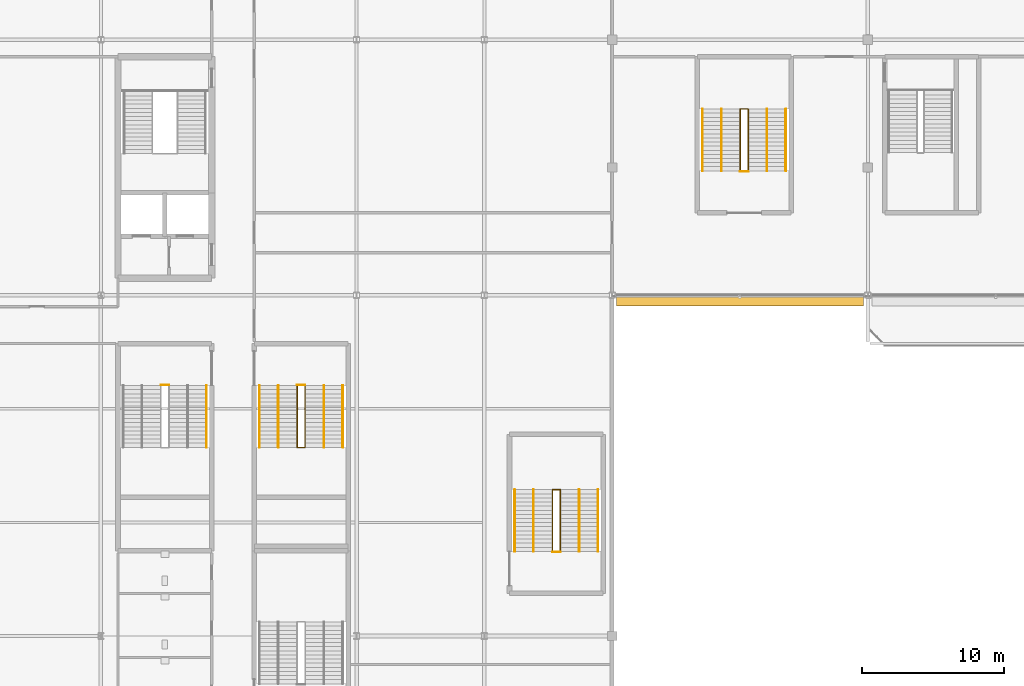
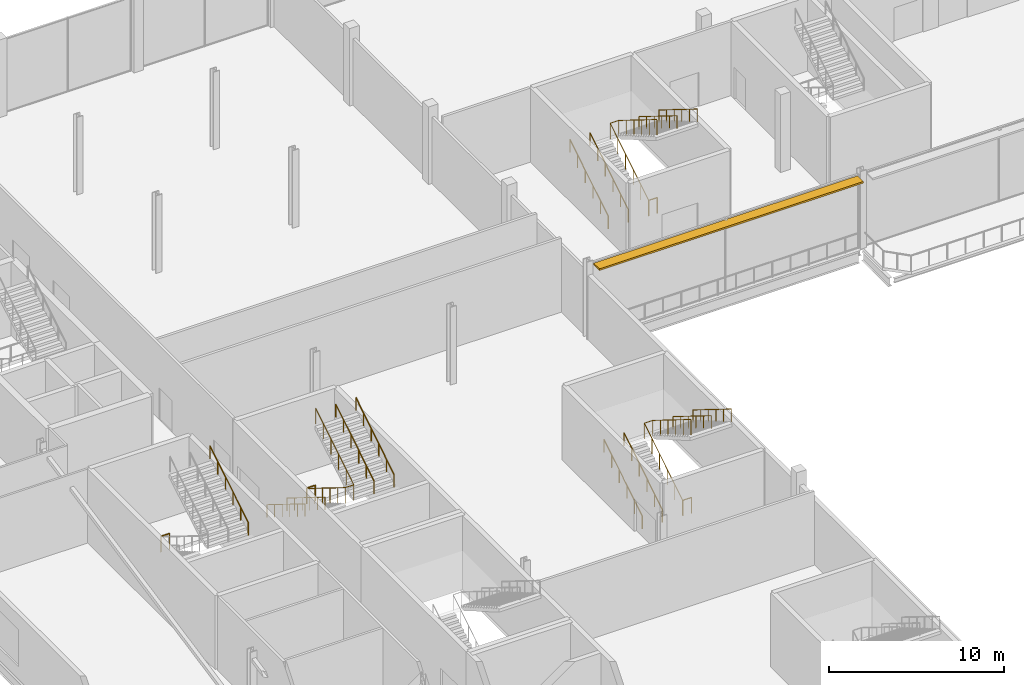
# One storey, part 101 of 113: 20 railings, 1 shading device.
"""IFC4 building model written with IfcOpenShell, lengths in metres."""

from ifc_helpers import new_model, si_unit, direction, frame, origin, origin_2d, place, context, subcontext, project, spatial, rectangle, circle, extrude, material, type_object, element, save


model = new_model("IFC4")

# Units and contexts
model_context = context("Model", 3, precision=1e-05, world=origin(), true_north=direction((0.0, 1.0)))
body_context = subcontext(model_context, "Body", "Model", "MODEL_VIEW")
ifc_project = project(units=[si_unit("LENGTHUNIT", "METRE"), si_unit("AREAUNIT", "SQUARE_METRE"), si_unit("VOLUMEUNIT", "CUBIC_METRE"), si_unit("PLANEANGLEUNIT", "RADIAN"), si_unit("MASSUNIT", "GRAM", prefix="KILO")], contexts=[model_context])

# Site, building, storey
site_placement = place(None, origin())
site = spatial("IfcSite", under=ifc_project, at=site_placement, CompositionType="ELEMENT")
building_placement = place(site_placement, origin())
building = spatial("IfcBuilding", under=site, at=building_placement, Name="Kisiwana Market Hall", CompositionType="ELEMENT")
storey_placement = place(building_placement, frame((0.0, 0.0, 6.0)))
storey = spatial("IfcBuildingStorey", under=building, at=storey_placement, Name="L01", CompositionType="ELEMENT", Elevation=6.0)

# Railings
ifc_material_1 = material(Name="Steel S275", Category="steel")
railing_type_1 = type_object("IfcRailingType", Name="RL-GUARD-1100", PredefinedType="GUARDRAIL", material=ifc_material_1)
railing_1_placement = place(storey_placement, frame((13.219970703125, 77.68994140625, 0.0)))
element("IfcRailing", 1, at=railing_1_placement, inside=storey, type_object=railing_type_1, Name="Stair ST-W4-L01 landing edge guardrail (RL-354)", PredefinedType="GUARDRAIL", context=body_context, shape_type="SweptSolid", body=[
    extrude(circle(Radius=0.02392578125, at=origin_2d()), frame((0.0, 0.0, 1.076171875), z_axis=(1.0, 0.0, 0.0), x_axis=(0.0, 1.0, 0.0)), (0.0, 0.0, 1.0), 0.56005859375),
    extrude(circle(Radius=0.02099609375, at=origin_2d()), origin(), (0.0, 0.0, 1.0), 1.052001953125),
    extrude(circle(Radius=0.02099609375, at=origin_2d()), frame((0.56005859375, 0.0, 0.0)), (0.0, 0.0, 1.0), 1.052001953125),
])
railing_2_placement = place(storey_placement, frame((22.820068359375, 77.639892578125, 0.0)))
element("IfcRailing", 2, at=railing_2_placement, inside=storey, type_object=railing_type_1, Name="Stair ST-W8-L01 inner-well guardrail (RL-379)", PredefinedType="GUARDRAIL", context=body_context, shape_type="SweptSolid", body=[
    extrude(circle(Radius=0.02392578125, at=origin_2d()), frame((0.0, 0.0, 1.076171875), z_axis=(0.0, -0.849636482215, 0.527368797038), x_axis=(1.0, 0.0, 0.0)), (0.0, 0.0, 1.0), 5.11962890625),
    extrude(circle(Radius=0.02392578125, at=origin_2d()), frame((0.0, -4.349853515625, 3.77587890625), z_axis=(1.0, 0.0, 0.0), x_axis=(0.0, 1.0, 0.0)), (0.0, 0.0, 1.0), 0.559814453125),
    extrude(circle(Radius=0.02392578125, at=origin_2d()), frame((0.559814453125, -4.349853515625, 3.77587890625), z_axis=(0.0, 0.849636482215, 0.527368797038), x_axis=(-1.0, 0.0, 0.0)), (0.0, 0.0, 1.0), 5.11962890625),
    extrude(circle(Radius=0.02099609375, at=origin_2d()), origin(), (0.0, 0.0, 1.0), 1.052001953125),
    extrude(circle(Radius=0.02099609375, at=origin_2d()), frame((0.0, -0.869873046875, 0.5400390625)), (0.0, 0.0, 1.0), 1.052001953125),
    extrude(circle(Radius=0.02099609375, at=origin_2d()), frame((0.0, -1.739990234375, 1.080078125)), (0.0, 0.0, 1.0), 1.052001953125),
    extrude(circle(Radius=0.02099609375, at=origin_2d()), frame((0.0, -2.60986328125, 1.619873046875)), (0.0, 0.0, 1.0), 1.052001953125),
    extrude(circle(Radius=0.02099609375, at=origin_2d()), frame((0.0, -3.47998046875, 2.159912109375)), (0.0, 0.0, 1.0), 1.052001953125),
    extrude(circle(Radius=0.02099609375, at=origin_2d()), frame((0.0, -4.349853515625, 2.699951171875)), (0.0, 0.0, 1.0), 1.052001953125),
    extrude(circle(Radius=0.02099609375, at=origin_2d()), frame((0.559814453125, -4.349853515625, 2.699951171875)), (0.0, 0.0, 1.0), 1.052001953125),
    extrude(circle(Radius=0.02099609375, at=origin_2d()), frame((0.559814453125, -3.47998046875, 3.239990234375)), (0.0, 0.0, 1.0), 1.052001953125),
    extrude(circle(Radius=0.02099609375, at=origin_2d()), frame((0.559814453125, -2.60986328125, 3.780029296875)), (0.0, 0.0, 1.0), 1.052001953125),
    extrude(circle(Radius=0.02099609375, at=origin_2d()), frame((0.559814453125, -1.739990234375, 4.31982421875)), (0.0, 0.0, 1.0), 1.052001953125),
    extrude(circle(Radius=0.02099609375, at=origin_2d()), frame((0.559814453125, -0.869873046875, 4.85986328125)), (0.0, 0.0, 1.0), 1.052001953125),
    extrude(circle(Radius=0.02099609375, at=origin_2d()), frame((0.559814453125, 0.0, 5.39990234375)), (0.0, 0.0, 1.0), 1.052001953125),
])
railing_3_placement = place(storey_placement, frame((22.820068359375, 77.68994140625, 0.0)))
element("IfcRailing", 3, at=railing_3_placement, inside=storey, type_object=railing_type_1, Name="Stair ST-W8-L01 landing edge guardrail (RL-384)", PredefinedType="GUARDRAIL", context=body_context, shape_type="SweptSolid", body=[
    extrude(circle(Radius=0.02392578125, at=origin_2d()), frame((0.0, 0.0, 1.076171875), z_axis=(1.0, 0.0, 0.0), x_axis=(0.0, 1.0, 0.0)), (0.0, 0.0, 1.0), 0.559814453125),
    extrude(circle(Radius=0.02099609375, at=origin_2d()), origin(), (0.0, 0.0, 1.0), 1.052001953125),
    extrude(circle(Radius=0.02099609375, at=origin_2d()), frame((0.559814453125, 0.0, 0.0)), (0.0, 0.0, 1.0), 1.052001953125),
])
railing_4_placement = place(storey_placement, frame((40.7900390625, 65.9599609375, 0.0)))
element("IfcRailing", 4, at=railing_4_placement, inside=storey, type_object=railing_type_1, Name="Stair ST-W10-L01 inner-well guardrail (RL-403)", PredefinedType="GUARDRAIL", context=body_context, shape_type="SweptSolid", body=[
    extrude(circle(Radius=0.02392578125, at=origin_2d()), frame((0.0, 0.0, 1.076171875), z_axis=(0.0, 0.849649743971, 0.527347430608), x_axis=(-1.0, 0.0, 0.0)), (0.0, 0.0, 1.0), 5.119873046875),
    extrude(circle(Radius=0.02392578125, at=origin_2d()), frame((0.0, 4.35009765625, 3.77587890625), z_axis=(1.0, 0.0, 0.0), x_axis=(0.0, 1.0, 0.0)), (0.0, 0.0, 1.0), 0.56005859375),
    extrude(circle(Radius=0.02392578125, at=origin_2d()), frame((0.56005859375, 4.35009765625, 3.77587890625), z_axis=(0.0, -0.849649743971, 0.527347430608), x_axis=(1.0, 0.0, 0.0)), (0.0, 0.0, 1.0), 5.119873046875),
    extrude(circle(Radius=0.02099609375, at=origin_2d()), origin(), (0.0, 0.0, 1.0), 1.052001953125),
    extrude(circle(Radius=0.02099609375, at=origin_2d()), frame((0.0, 0.8701171875, 0.5400390625)), (0.0, 0.0, 1.0), 1.052001953125),
    extrude(circle(Radius=0.02099609375, at=origin_2d()), frame((0.0, 1.739990234375, 1.080078125)), (0.0, 0.0, 1.0), 1.052001953125),
    extrude(circle(Radius=0.02099609375, at=origin_2d()), frame((0.0, 2.610107421875, 1.619873046875)), (0.0, 0.0, 1.0), 1.052001953125),
    extrude(circle(Radius=0.02099609375, at=origin_2d()), frame((0.0, 3.47998046875, 2.159912109375)), (0.0, 0.0, 1.0), 1.052001953125),
    extrude(circle(Radius=0.02099609375, at=origin_2d()), frame((0.0, 4.35009765625, 2.699951171875)), (0.0, 0.0, 1.0), 1.052001953125),
    extrude(circle(Radius=0.02099609375, at=origin_2d()), frame((0.56005859375, 4.35009765625, 2.699951171875)), (0.0, 0.0, 1.0), 1.052001953125),
    extrude(circle(Radius=0.02099609375, at=origin_2d()), frame((0.56005859375, 3.47998046875, 3.239990234375)), (0.0, 0.0, 1.0), 1.052001953125),
    extrude(circle(Radius=0.02099609375, at=origin_2d()), frame((0.56005859375, 2.610107421875, 3.780029296875)), (0.0, 0.0, 1.0), 1.052001953125),
    extrude(circle(Radius=0.02099609375, at=origin_2d()), frame((0.56005859375, 1.739990234375, 4.31982421875)), (0.0, 0.0, 1.0), 1.052001953125),
    extrude(circle(Radius=0.02099609375, at=origin_2d()), frame((0.56005859375, 0.8701171875, 4.85986328125)), (0.0, 0.0, 1.0), 1.052001953125),
    extrude(circle(Radius=0.02099609375, at=origin_2d()), frame((0.56005859375, 0.0, 5.39990234375)), (0.0, 0.0, 1.0), 1.052001953125),
])
railing_5_placement = place(storey_placement, frame((40.7900390625, 65.909912109375, 0.0)))
element("IfcRailing", 5, at=railing_5_placement, inside=storey, type_object=railing_type_1, Name="Stair ST-W10-L01 landing edge guardrail (RL-408)", PredefinedType="GUARDRAIL", context=body_context, shape_type="SweptSolid", body=[
    extrude(circle(Radius=0.02392578125, at=origin_2d()), frame((0.0, 0.0, 1.076171875), z_axis=(1.0, 0.0, 0.0), x_axis=(0.0, 1.0, 0.0)), (0.0, 0.0, 1.0), 0.56005859375),
    extrude(circle(Radius=0.02099609375, at=origin_2d()), origin(), (0.0, 0.0, 1.0), 1.052001953125),
    extrude(circle(Radius=0.02099609375, at=origin_2d()), frame((0.56005859375, 0.0, 0.0)), (0.0, 0.0, 1.0), 1.052001953125),
])
railing_6_placement = place(storey_placement, frame((54.02001953125, 92.760009765625, 0.0)))
element("IfcRailing", 6, at=railing_6_placement, inside=storey, type_object=railing_type_1, Name="Stair ST-N3-L01 inner-well guardrail (RL-433)", PredefinedType="GUARDRAIL", context=body_context, shape_type="SweptSolid", body=[
    extrude(circle(Radius=0.02392578125, at=origin_2d()), frame((0.0, 0.0, 1.076171875), z_axis=(0.0, 0.849649743971, 0.527347430608), x_axis=(-1.0, 0.0, 0.0)), (0.0, 0.0, 1.0), 5.119873046875),
    extrude(circle(Radius=0.02392578125, at=origin_2d()), frame((0.0, 4.35009765625, 3.77587890625), z_axis=(1.0, 0.0, 0.0), x_axis=(0.0, 1.0, 0.0)), (0.0, 0.0, 1.0), 0.56005859375),
    extrude(circle(Radius=0.02392578125, at=origin_2d()), frame((0.56005859375, 4.35009765625, 3.77587890625), z_axis=(0.0, -0.849649743971, 0.527347430608), x_axis=(1.0, 0.0, 0.0)), (0.0, 0.0, 1.0), 5.119873046875),
    extrude(circle(Radius=0.02099609375, at=origin_2d()), origin(), (0.0, 0.0, 1.0), 1.052001953125),
    extrude(circle(Radius=0.02099609375, at=origin_2d()), frame((0.0, 0.8701171875, 0.5400390625)), (0.0, 0.0, 1.0), 1.052001953125),
    extrude(circle(Radius=0.02099609375, at=origin_2d()), frame((0.0, 1.739990234375, 1.080078125)), (0.0, 0.0, 1.0), 1.052001953125),
    extrude(circle(Radius=0.02099609375, at=origin_2d()), frame((0.0, 2.610107421875, 1.619873046875)), (0.0, 0.0, 1.0), 1.052001953125),
    extrude(circle(Radius=0.02099609375, at=origin_2d()), frame((0.0, 3.47998046875, 2.159912109375)), (0.0, 0.0, 1.0), 1.052001953125),
    extrude(circle(Radius=0.02099609375, at=origin_2d()), frame((0.0, 4.35009765625, 2.699951171875)), (0.0, 0.0, 1.0), 1.052001953125),
    extrude(circle(Radius=0.02099609375, at=origin_2d()), frame((0.56005859375, 4.35009765625, 2.699951171875)), (0.0, 0.0, 1.0), 1.052001953125),
    extrude(circle(Radius=0.02099609375, at=origin_2d()), frame((0.56005859375, 3.47998046875, 3.239990234375)), (0.0, 0.0, 1.0), 1.052001953125),
    extrude(circle(Radius=0.02099609375, at=origin_2d()), frame((0.56005859375, 2.610107421875, 3.780029296875)), (0.0, 0.0, 1.0), 1.052001953125),
    extrude(circle(Radius=0.02099609375, at=origin_2d()), frame((0.56005859375, 1.739990234375, 4.31982421875)), (0.0, 0.0, 1.0), 1.052001953125),
    extrude(circle(Radius=0.02099609375, at=origin_2d()), frame((0.56005859375, 0.8701171875, 4.85986328125)), (0.0, 0.0, 1.0), 1.052001953125),
    extrude(circle(Radius=0.02099609375, at=origin_2d()), frame((0.56005859375, 0.0, 5.39990234375)), (0.0, 0.0, 1.0), 1.052001953125),
])
railing_7_placement = place(storey_placement, frame((54.02001953125, 92.7099609375, 0.0)))
element("IfcRailing", 7, at=railing_7_placement, inside=storey, type_object=railing_type_1, Name="Stair ST-N3-L01 landing edge guardrail (RL-438)", PredefinedType="GUARDRAIL", context=body_context, shape_type="SweptSolid", body=[
    extrude(circle(Radius=0.02392578125, at=origin_2d()), frame((0.0, 0.0, 1.076171875), z_axis=(1.0, 0.0, 0.0), x_axis=(0.0, 1.0, 0.0)), (0.0, 0.0, 1.0), 0.56005859375),
    extrude(circle(Radius=0.02099609375, at=origin_2d()), origin(), (0.0, 0.0, 1.0), 1.052001953125),
    extrude(circle(Radius=0.02099609375, at=origin_2d()), frame((0.56005859375, 0.0, 0.0)), (0.0, 0.0, 1.0), 1.052001953125),
])
ifc_material_2 = material(Name="Steel S275", Category="steel")
railing_type_2 = type_object("IfcRailingType", Name="RL-HAND-900", PredefinedType="HANDRAIL", material=ifc_material_2)
railing_8_placement = place(storey_placement, frame((16.429931640625, 73.2900390625, 2.699951171875)))
element("IfcRailing", 8, at=railing_8_placement, inside=storey, type_object=railing_type_2, Name="Stair ST-W4-L01 flight 2 handrail (RL-351)", PredefinedType="HANDRAIL", context=body_context, shape_type="SweptSolid", body=[
    extrude(circle(Radius=0.02392578125, at=origin_2d()), frame((0.0, 0.0, 0.8759765625), z_axis=(0.0, 0.849636482215, 0.527368797038), x_axis=(-1.0, 0.0, 0.0)), (0.0, 0.0, 1.0), 5.11962890625),
    extrude(circle(Radius=0.02099609375, at=origin_2d()), origin(), (0.0, 0.0, 1.0), 0.851806640625),
    extrude(circle(Radius=0.02099609375, at=origin_2d()), frame((0.0, 0.869873046875, 0.5400390625)), (0.0, 0.0, 1.0), 0.851806640625),
    extrude(circle(Radius=0.02099609375, at=origin_2d()), frame((0.0, 1.739990234375, 1.080078125)), (0.0, 0.0, 1.0), 0.851806640625),
    extrude(circle(Radius=0.02099609375, at=origin_2d()), frame((0.0, 2.60986328125, 1.619873046875)), (0.0, 0.0, 1.0), 0.851806640625),
    extrude(circle(Radius=0.02099609375, at=origin_2d()), frame((0.0, 3.47998046875, 2.159912109375)), (0.0, 0.0, 1.0), 0.851806640625),
    extrude(circle(Radius=0.02099609375, at=origin_2d()), frame((0.0, 4.349853515625, 2.699951171875)), (0.0, 0.0, 1.0), 0.851806640625),
])
railing_9_placement = place(storey_placement, frame((20.169921875, 77.639892578125, 0.0)))
element("IfcRailing", 9, at=railing_9_placement, inside=storey, type_object=railing_type_2, Name="Stair ST-W8-L01 flight 1 handrail (RL-380)", PredefinedType="HANDRAIL", context=body_context, shape_type="SweptSolid", body=[
    extrude(circle(Radius=0.02392578125, at=origin_2d()), frame((0.0, 0.0, 0.8759765625), z_axis=(0.0, -0.849636482215, 0.527368797038), x_axis=(1.0, 0.0, 0.0)), (0.0, 0.0, 1.0), 5.11962890625),
    extrude(circle(Radius=0.02099609375, at=origin_2d()), origin(), (0.0, 0.0, 1.0), 0.851806640625),
    extrude(circle(Radius=0.02099609375, at=origin_2d()), frame((0.0, -0.869873046875, 0.5400390625)), (0.0, 0.0, 1.0), 0.851806640625),
    extrude(circle(Radius=0.02099609375, at=origin_2d()), frame((0.0, -1.739990234375, 1.080078125)), (0.0, 0.0, 1.0), 0.851806640625),
    extrude(circle(Radius=0.02099609375, at=origin_2d()), frame((0.0, -2.60986328125, 1.619873046875)), (0.0, 0.0, 1.0), 0.851806640625),
    extrude(circle(Radius=0.02099609375, at=origin_2d()), frame((0.0, -3.47998046875, 2.159912109375)), (0.0, 0.0, 1.0), 0.851806640625),
    extrude(circle(Radius=0.02099609375, at=origin_2d()), frame((0.0, -4.349853515625, 2.699951171875)), (0.0, 0.0, 1.0), 0.851806640625),
])
railing_10_placement = place(storey_placement, frame((26.030029296875, 73.2900390625, 2.699951171875)))
element("IfcRailing", 10, at=railing_10_placement, inside=storey, type_object=railing_type_2, Name="Stair ST-W8-L01 flight 2 handrail (RL-381)", PredefinedType="HANDRAIL", context=body_context, shape_type="SweptSolid", body=[
    extrude(circle(Radius=0.02392578125, at=origin_2d()), frame((0.0, 0.0, 0.8759765625), z_axis=(0.0, 0.849636482215, 0.527368797038), x_axis=(-1.0, 0.0, 0.0)), (0.0, 0.0, 1.0), 5.11962890625),
    extrude(circle(Radius=0.02099609375, at=origin_2d()), origin(), (0.0, 0.0, 1.0), 0.851806640625),
    extrude(circle(Radius=0.02099609375, at=origin_2d()), frame((0.0, 0.869873046875, 0.5400390625)), (0.0, 0.0, 1.0), 0.851806640625),
    extrude(circle(Radius=0.02099609375, at=origin_2d()), frame((0.0, 1.739990234375, 1.080078125)), (0.0, 0.0, 1.0), 0.851806640625),
    extrude(circle(Radius=0.02099609375, at=origin_2d()), frame((0.0, 2.60986328125, 1.619873046875)), (0.0, 0.0, 1.0), 0.851806640625),
    extrude(circle(Radius=0.02099609375, at=origin_2d()), frame((0.0, 3.47998046875, 2.159912109375)), (0.0, 0.0, 1.0), 0.851806640625),
    extrude(circle(Radius=0.02099609375, at=origin_2d()), frame((0.0, 4.349853515625, 2.699951171875)), (0.0, 0.0, 1.0), 0.851806640625),
])
railing_11_placement = place(storey_placement, frame((21.489990234375, 77.639892578125, 0.0)))
element("IfcRailing", 11, at=railing_11_placement, inside=storey, type_object=railing_type_2, Name="Stair ST-W8-L01 flight 1 intermediate handrail (RL-382)", PredefinedType="HANDRAIL", context=body_context, shape_type="SweptSolid", body=[
    extrude(circle(Radius=0.02392578125, at=origin_2d()), frame((0.0, 0.0, 0.8759765625), z_axis=(0.0, -0.849636482215, 0.527368797038), x_axis=(1.0, 0.0, 0.0)), (0.0, 0.0, 1.0), 5.11962890625),
    extrude(circle(Radius=0.02099609375, at=origin_2d()), origin(), (0.0, 0.0, 1.0), 0.851806640625),
    extrude(circle(Radius=0.02099609375, at=origin_2d()), frame((0.0, -0.869873046875, 0.5400390625)), (0.0, 0.0, 1.0), 0.851806640625),
    extrude(circle(Radius=0.02099609375, at=origin_2d()), frame((0.0, -1.739990234375, 1.080078125)), (0.0, 0.0, 1.0), 0.851806640625),
    extrude(circle(Radius=0.02099609375, at=origin_2d()), frame((0.0, -2.60986328125, 1.619873046875)), (0.0, 0.0, 1.0), 0.851806640625),
    extrude(circle(Radius=0.02099609375, at=origin_2d()), frame((0.0, -3.47998046875, 2.159912109375)), (0.0, 0.0, 1.0), 0.851806640625),
    extrude(circle(Radius=0.02099609375, at=origin_2d()), frame((0.0, -4.349853515625, 2.699951171875)), (0.0, 0.0, 1.0), 0.851806640625),
])
railing_12_placement = place(storey_placement, frame((24.7099609375, 73.2900390625, 2.699951171875)))
element("IfcRailing", 12, at=railing_12_placement, inside=storey, type_object=railing_type_2, Name="Stair ST-W8-L01 flight 2 intermediate handrail (RL-383)", PredefinedType="HANDRAIL", context=body_context, shape_type="SweptSolid", body=[
    extrude(circle(Radius=0.02392578125, at=origin_2d()), frame((0.0, 0.0, 0.8759765625), z_axis=(0.0, 0.849636482215, 0.527368797038), x_axis=(-1.0, 0.0, 0.0)), (0.0, 0.0, 1.0), 5.11962890625),
    extrude(circle(Radius=0.02099609375, at=origin_2d()), origin(), (0.0, 0.0, 1.0), 0.851806640625),
    extrude(circle(Radius=0.02099609375, at=origin_2d()), frame((0.0, 0.869873046875, 0.5400390625)), (0.0, 0.0, 1.0), 0.851806640625),
    extrude(circle(Radius=0.02099609375, at=origin_2d()), frame((0.0, 1.739990234375, 1.080078125)), (0.0, 0.0, 1.0), 0.851806640625),
    extrude(circle(Radius=0.02099609375, at=origin_2d()), frame((0.0, 2.60986328125, 1.619873046875)), (0.0, 0.0, 1.0), 0.851806640625),
    extrude(circle(Radius=0.02099609375, at=origin_2d()), frame((0.0, 3.47998046875, 2.159912109375)), (0.0, 0.0, 1.0), 0.851806640625),
    extrude(circle(Radius=0.02099609375, at=origin_2d()), frame((0.0, 4.349853515625, 2.699951171875)), (0.0, 0.0, 1.0), 0.851806640625),
])
railing_13_placement = place(storey_placement, frame((38.139892578125, 65.9599609375, 0.0)))
element("IfcRailing", 13, at=railing_13_placement, inside=storey, type_object=railing_type_2, Name="Stair ST-W10-L01 flight 1 handrail (RL-404)", PredefinedType="HANDRAIL", context=body_context, shape_type="SweptSolid", body=[
    extrude(circle(Radius=0.02392578125, at=origin_2d()), frame((0.0, 0.0, 0.8759765625), z_axis=(0.0, 0.849649743971, 0.527347430608), x_axis=(-1.0, 0.0, 0.0)), (0.0, 0.0, 1.0), 5.119873046875),
    extrude(circle(Radius=0.02099609375, at=origin_2d()), origin(), (0.0, 0.0, 1.0), 0.851806640625),
    extrude(circle(Radius=0.02099609375, at=origin_2d()), frame((0.0, 0.8701171875, 0.5400390625)), (0.0, 0.0, 1.0), 0.851806640625),
    extrude(circle(Radius=0.02099609375, at=origin_2d()), frame((0.0, 1.739990234375, 1.080078125)), (0.0, 0.0, 1.0), 0.851806640625),
    extrude(circle(Radius=0.02099609375, at=origin_2d()), frame((0.0, 2.610107421875, 1.619873046875)), (0.0, 0.0, 1.0), 0.851806640625),
    extrude(circle(Radius=0.02099609375, at=origin_2d()), frame((0.0, 3.47998046875, 2.159912109375)), (0.0, 0.0, 1.0), 0.851806640625),
    extrude(circle(Radius=0.02099609375, at=origin_2d()), frame((0.0, 4.35009765625, 2.699951171875)), (0.0, 0.0, 1.0), 0.851806640625),
])
railing_14_placement = place(storey_placement, frame((44.0, 70.31005859375, 2.699951171875)))
element("IfcRailing", 14, at=railing_14_placement, inside=storey, type_object=railing_type_2, Name="Stair ST-W10-L01 flight 2 handrail (RL-405)", PredefinedType="HANDRAIL", context=body_context, shape_type="SweptSolid", body=[
    extrude(circle(Radius=0.02392578125, at=origin_2d()), frame((0.0, 0.0, 0.8759765625), z_axis=(0.0, -0.849649743971, 0.527347430608), x_axis=(1.0, 0.0, 0.0)), (0.0, 0.0, 1.0), 5.119873046875),
    extrude(circle(Radius=0.02099609375, at=origin_2d()), origin(), (0.0, 0.0, 1.0), 0.851806640625),
    extrude(circle(Radius=0.02099609375, at=origin_2d()), frame((0.0, -0.8701171875, 0.5400390625)), (0.0, 0.0, 1.0), 0.851806640625),
    extrude(circle(Radius=0.02099609375, at=origin_2d()), frame((0.0, -1.739990234375, 1.080078125)), (0.0, 0.0, 1.0), 0.851806640625),
    extrude(circle(Radius=0.02099609375, at=origin_2d()), frame((0.0, -2.610107421875, 1.619873046875)), (0.0, 0.0, 1.0), 0.851806640625),
    extrude(circle(Radius=0.02099609375, at=origin_2d()), frame((0.0, -3.47998046875, 2.159912109375)), (0.0, 0.0, 1.0), 0.851806640625),
    extrude(circle(Radius=0.02099609375, at=origin_2d()), frame((0.0, -4.35009765625, 2.699951171875)), (0.0, 0.0, 1.0), 0.851806640625),
])
railing_15_placement = place(storey_placement, frame((39.4599609375, 65.9599609375, 0.0)))
element("IfcRailing", 15, at=railing_15_placement, inside=storey, type_object=railing_type_2, Name="Stair ST-W10-L01 flight 1 intermediate handrail (RL-406)", PredefinedType="HANDRAIL", context=body_context, shape_type="SweptSolid", body=[
    extrude(circle(Radius=0.02392578125, at=origin_2d()), frame((0.0, 0.0, 0.8759765625), z_axis=(0.0, 0.849649743971, 0.527347430608), x_axis=(-1.0, 0.0, 0.0)), (0.0, 0.0, 1.0), 5.119873046875),
    extrude(circle(Radius=0.02099609375, at=origin_2d()), origin(), (0.0, 0.0, 1.0), 0.851806640625),
    extrude(circle(Radius=0.02099609375, at=origin_2d()), frame((0.0, 0.8701171875, 0.5400390625)), (0.0, 0.0, 1.0), 0.851806640625),
    extrude(circle(Radius=0.02099609375, at=origin_2d()), frame((0.0, 1.739990234375, 1.080078125)), (0.0, 0.0, 1.0), 0.851806640625),
    extrude(circle(Radius=0.02099609375, at=origin_2d()), frame((0.0, 2.610107421875, 1.619873046875)), (0.0, 0.0, 1.0), 0.851806640625),
    extrude(circle(Radius=0.02099609375, at=origin_2d()), frame((0.0, 3.47998046875, 2.159912109375)), (0.0, 0.0, 1.0), 0.851806640625),
    extrude(circle(Radius=0.02099609375, at=origin_2d()), frame((0.0, 4.35009765625, 2.699951171875)), (0.0, 0.0, 1.0), 0.851806640625),
])
railing_16_placement = place(storey_placement, frame((42.679931640625, 70.31005859375, 2.699951171875)))
element("IfcRailing", 16, at=railing_16_placement, inside=storey, type_object=railing_type_2, Name="Stair ST-W10-L01 flight 2 intermediate handrail (RL-407)", PredefinedType="HANDRAIL", context=body_context, shape_type="SweptSolid", body=[
    extrude(circle(Radius=0.02392578125, at=origin_2d()), frame((0.0, 0.0, 0.8759765625), z_axis=(0.0, -0.849649743971, 0.527347430608), x_axis=(1.0, 0.0, 0.0)), (0.0, 0.0, 1.0), 5.119873046875),
    extrude(circle(Radius=0.02099609375, at=origin_2d()), origin(), (0.0, 0.0, 1.0), 0.851806640625),
    extrude(circle(Radius=0.02099609375, at=origin_2d()), frame((0.0, -0.8701171875, 0.5400390625)), (0.0, 0.0, 1.0), 0.851806640625),
    extrude(circle(Radius=0.02099609375, at=origin_2d()), frame((0.0, -1.739990234375, 1.080078125)), (0.0, 0.0, 1.0), 0.851806640625),
    extrude(circle(Radius=0.02099609375, at=origin_2d()), frame((0.0, -2.610107421875, 1.619873046875)), (0.0, 0.0, 1.0), 0.851806640625),
    extrude(circle(Radius=0.02099609375, at=origin_2d()), frame((0.0, -3.47998046875, 2.159912109375)), (0.0, 0.0, 1.0), 0.851806640625),
    extrude(circle(Radius=0.02099609375, at=origin_2d()), frame((0.0, -4.35009765625, 2.699951171875)), (0.0, 0.0, 1.0), 0.851806640625),
])
railing_17_placement = place(storey_placement, frame((51.3701171875, 92.760009765625, 0.0)))
element("IfcRailing", 17, at=railing_17_placement, inside=storey, type_object=railing_type_2, Name="Stair ST-N3-L01 flight 1 handrail (RL-434)", PredefinedType="HANDRAIL", context=body_context, shape_type="SweptSolid", body=[
    extrude(circle(Radius=0.02392578125, at=origin_2d()), frame((0.0, 0.0, 0.8759765625), z_axis=(0.0, 0.849649743971, 0.527347430608), x_axis=(-1.0, 0.0, 0.0)), (0.0, 0.0, 1.0), 5.119873046875),
    extrude(circle(Radius=0.02099609375, at=origin_2d()), origin(), (0.0, 0.0, 1.0), 0.851806640625),
    extrude(circle(Radius=0.02099609375, at=origin_2d()), frame((0.0, 0.8701171875, 0.5400390625)), (0.0, 0.0, 1.0), 0.851806640625),
    extrude(circle(Radius=0.02099609375, at=origin_2d()), frame((0.0, 1.739990234375, 1.080078125)), (0.0, 0.0, 1.0), 0.851806640625),
    extrude(circle(Radius=0.02099609375, at=origin_2d()), frame((0.0, 2.610107421875, 1.619873046875)), (0.0, 0.0, 1.0), 0.851806640625),
    extrude(circle(Radius=0.02099609375, at=origin_2d()), frame((0.0, 3.47998046875, 2.159912109375)), (0.0, 0.0, 1.0), 0.851806640625),
    extrude(circle(Radius=0.02099609375, at=origin_2d()), frame((0.0, 4.35009765625, 2.699951171875)), (0.0, 0.0, 1.0), 0.851806640625),
])
railing_18_placement = place(storey_placement, frame((57.22998046875, 97.110107421875, 2.699951171875)))
element("IfcRailing", 18, at=railing_18_placement, inside=storey, type_object=railing_type_2, Name="Stair ST-N3-L01 flight 2 handrail (RL-435)", PredefinedType="HANDRAIL", context=body_context, shape_type="SweptSolid", body=[
    extrude(circle(Radius=0.02392578125, at=origin_2d()), frame((0.0, 0.0, 0.8759765625), z_axis=(0.0, -0.849649743971, 0.527347430608), x_axis=(1.0, 0.0, 0.0)), (0.0, 0.0, 1.0), 5.119873046875),
    extrude(circle(Radius=0.02099609375, at=origin_2d()), origin(), (0.0, 0.0, 1.0), 0.851806640625),
    extrude(circle(Radius=0.02099609375, at=origin_2d()), frame((0.0, -0.8701171875, 0.5400390625)), (0.0, 0.0, 1.0), 0.851806640625),
    extrude(circle(Radius=0.02099609375, at=origin_2d()), frame((0.0, -1.739990234375, 1.080078125)), (0.0, 0.0, 1.0), 0.851806640625),
    extrude(circle(Radius=0.02099609375, at=origin_2d()), frame((0.0, -2.610107421875, 1.619873046875)), (0.0, 0.0, 1.0), 0.851806640625),
    extrude(circle(Radius=0.02099609375, at=origin_2d()), frame((0.0, -3.47998046875, 2.159912109375)), (0.0, 0.0, 1.0), 0.851806640625),
    extrude(circle(Radius=0.02099609375, at=origin_2d()), frame((0.0, -4.35009765625, 2.699951171875)), (0.0, 0.0, 1.0), 0.851806640625),
])
railing_19_placement = place(storey_placement, frame((52.68994140625, 92.760009765625, 0.0)))
element("IfcRailing", 19, at=railing_19_placement, inside=storey, type_object=railing_type_2, Name="Stair ST-N3-L01 flight 1 intermediate handrail (RL-436)", PredefinedType="HANDRAIL", context=body_context, shape_type="SweptSolid", body=[
    extrude(circle(Radius=0.02392578125, at=origin_2d()), frame((0.0, 0.0, 0.8759765625), z_axis=(0.0, 0.849649743971, 0.527347430608), x_axis=(-1.0, 0.0, 0.0)), (0.0, 0.0, 1.0), 5.119873046875),
    extrude(circle(Radius=0.02099609375, at=origin_2d()), origin(), (0.0, 0.0, 1.0), 0.851806640625),
    extrude(circle(Radius=0.02099609375, at=origin_2d()), frame((0.0, 0.8701171875, 0.5400390625)), (0.0, 0.0, 1.0), 0.851806640625),
    extrude(circle(Radius=0.02099609375, at=origin_2d()), frame((0.0, 1.739990234375, 1.080078125)), (0.0, 0.0, 1.0), 0.851806640625),
    extrude(circle(Radius=0.02099609375, at=origin_2d()), frame((0.0, 2.610107421875, 1.619873046875)), (0.0, 0.0, 1.0), 0.851806640625),
    extrude(circle(Radius=0.02099609375, at=origin_2d()), frame((0.0, 3.47998046875, 2.159912109375)), (0.0, 0.0, 1.0), 0.851806640625),
    extrude(circle(Radius=0.02099609375, at=origin_2d()), frame((0.0, 4.35009765625, 2.699951171875)), (0.0, 0.0, 1.0), 0.851806640625),
])
railing_20_placement = place(storey_placement, frame((55.909912109375, 97.110107421875, 2.699951171875)))
element("IfcRailing", 20, at=railing_20_placement, inside=storey, type_object=railing_type_2, Name="Stair ST-N3-L01 flight 2 intermediate handrail (RL-437)", PredefinedType="HANDRAIL", context=body_context, shape_type="SweptSolid", body=[
    extrude(circle(Radius=0.02392578125, at=origin_2d()), frame((0.0, 0.0, 0.8759765625), z_axis=(0.0, -0.849649743971, 0.527347430608), x_axis=(1.0, 0.0, 0.0)), (0.0, 0.0, 1.0), 5.119873046875),
    extrude(circle(Radius=0.02099609375, at=origin_2d()), origin(), (0.0, 0.0, 1.0), 0.851806640625),
    extrude(circle(Radius=0.02099609375, at=origin_2d()), frame((0.0, -0.8701171875, 0.5400390625)), (0.0, 0.0, 1.0), 0.851806640625),
    extrude(circle(Radius=0.02099609375, at=origin_2d()), frame((0.0, -1.739990234375, 1.080078125)), (0.0, 0.0, 1.0), 0.851806640625),
    extrude(circle(Radius=0.02099609375, at=origin_2d()), frame((0.0, -2.610107421875, 1.619873046875)), (0.0, 0.0, 1.0), 0.851806640625),
    extrude(circle(Radius=0.02099609375, at=origin_2d()), frame((0.0, -3.47998046875, 2.159912109375)), (0.0, 0.0, 1.0), 0.851806640625),
    extrude(circle(Radius=0.02099609375, at=origin_2d()), frame((0.0, -4.35009765625, 2.699951171875)), (0.0, 0.0, 1.0), 0.851806640625),
])

# Shading device
ifc_material_3 = material(Name="Aluminium alloy 6063-T6", Category="aluminium")
shading_device_type = type_object("IfcShadingDeviceType", Name="SHD-JALOUSIE-H", PredefinedType="JALOUSIE", material=ifc_material_3)
shading_device_placement = place(storey_placement, frame((54.0, 83.580078125, 4.969970703125), z_axis=(0.0, 0.0, 1.0), x_axis=(1.0, 0.0, 0.0)))
element("IfcShadingDevice", 21, at=shading_device_placement, inside=storey, type_object=shading_device_type, Name="Aluminium brise-soleil louvre SHD-020 SD-020", PredefinedType="JALOUSIE", context=body_context, shape_type="SweptSolid", body=[
    extrude(rectangle(XDim=17.387939453125, YDim=0.64990234375, at=origin_2d()), origin(), (0.0, 0.0, 1.0), 0.1201171875),
])

save(model, "model.ifc")
